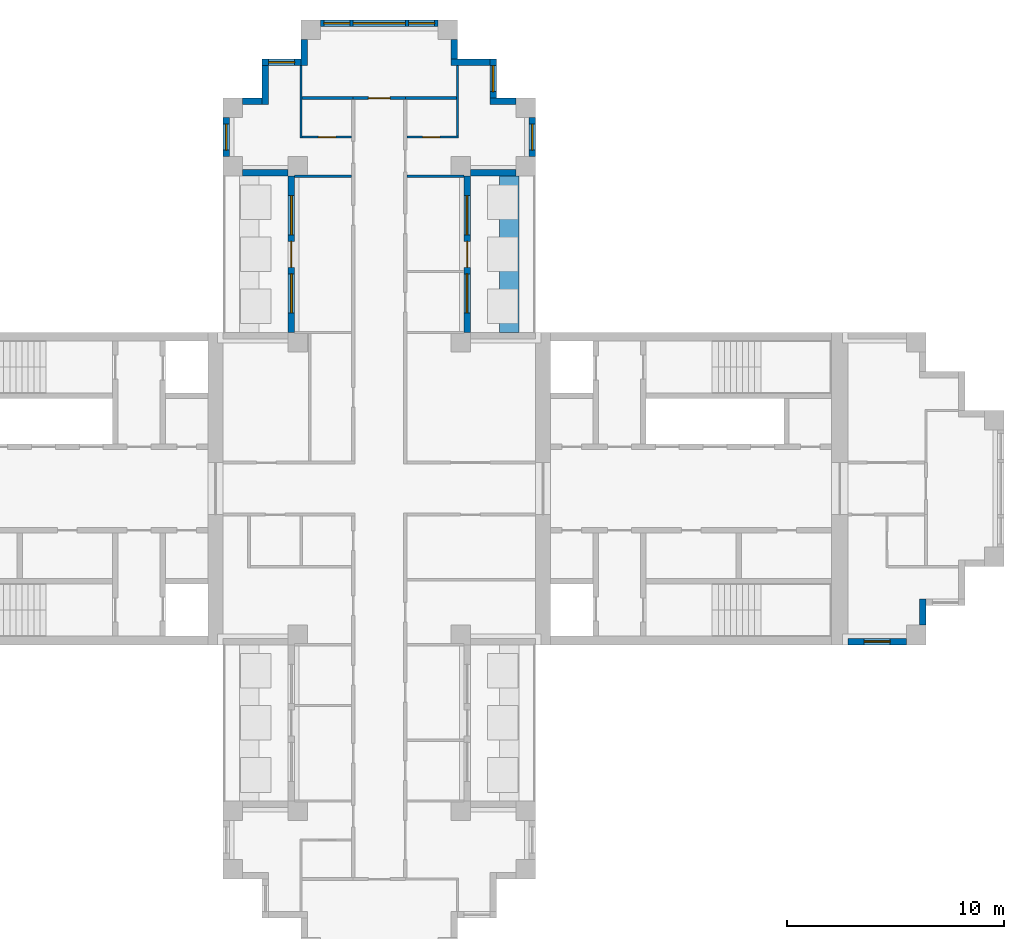
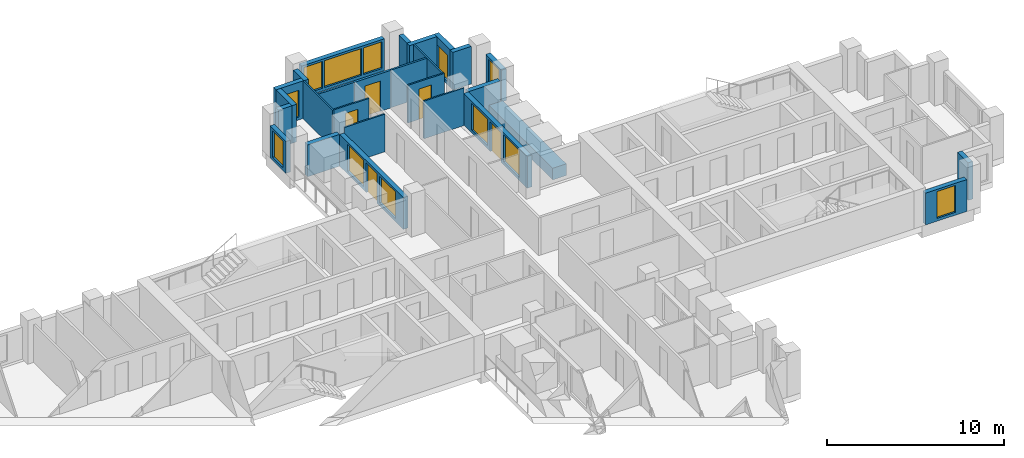
# One storey, part 7 of 11: 27 walls, 12 windows, 5 doors, 17 openings.
"""IFC4 building model written with IfcOpenShell, lengths in metres."""

from ifc_helpers import new_model, si_unit, direction, frame, frame_2d, origin, place, context, subcontext, project, spatial, rectangle, extrude, material, layer, layer_set, type_object, element, fill, save


model = new_model("IFC4")

# Units and contexts
model_context = context("Model", 3, precision=1e-05, world=origin(), true_north=direction((0.0, 1.0)))
body_context = subcontext(model_context, "Body", "Model", "MODEL_VIEW")
ifc_project = project(units=[si_unit("LENGTHUNIT", "METRE"), si_unit("AREAUNIT", "SQUARE_METRE"), si_unit("VOLUMEUNIT", "CUBIC_METRE"), si_unit("PLANEANGLEUNIT", "RADIAN"), si_unit("MASSUNIT", "GRAM", prefix="KILO")], contexts=[model_context])

# Site, building, storey
site_placement = place(None, origin())
site = spatial("IfcSite", under=ifc_project, at=site_placement, CompositionType="ELEMENT")
building_placement = place(site_placement, origin())
building = spatial("IfcBuilding", under=site, at=building_placement, Name="Fustian Cross Tower", CompositionType="ELEMENT")
storey_placement = place(building_placement, frame((0.0, 0.0, 170.699951171875)))
storey = spatial("IfcBuildingStorey", under=building, at=storey_placement, Name="L53", CompositionType="ELEMENT", Elevation=170.699951171875)

# Wall, opening, door
ifc_material_1 = material(Name="Plasterboard on steel stud", Category="steel")
ifc_layer_1 = layer(ifc_material_1, 0.14990234375)
ifc_layer_set_1 = layer_set([ifc_layer_1], Name="Plasterboard on steel stud")
wall_type_1 = type_object("IfcWallType", Name="COMPARTMENT WALL 150 EI 60", PredefinedType="PARTITIONING", material=ifc_layer_set_1)
wall_1_placement = place(storey_placement, frame((-1.199951171875, 18.0, 0.0), z_axis=(0.0, 0.0, 1.0), x_axis=(1.0, 0.0, 0.0)))
wall_1 = element("IfcWall", 1, at=wall_1_placement, inside=storey, type_object=wall_type_1, Name="Partition 33", PredefinedType="PARTITIONING", context=body_context, shape_type="SweptSolid", body=[
    extrude(rectangle(XDim=2.39990234375, YDim=0.14990234375, at=frame_2d((1.199951171875, 0.0))), origin(), (0.0, 0.0, 1.0), 2.60009765625),
])
opening_1_placement = place(wall_1_placement, frame((0.699951171875, 0.0, 0.0)))
opening_1 = element("IfcOpeningElement", 2, at=opening_1_placement, cuts=wall_1, Name="Opening D25013", PredefinedType="OPENING", context=body_context, shape_type="SweptSolid", body=[
    extrude(rectangle(XDim=1.0, YDim=2.10009765625, at=frame_2d((0.5, 1.050048828125))), frame((0.0, 0.0849609375, 0.0), z_axis=(0.0, -1.0, 0.0), x_axis=(1.0, 0.0, 0.0)), (0.0, 0.0, 1.0), 0.169921875),
])
ifc_material_2 = material(Name="Timber fire door set", Category="wood")
door_type_1 = type_object("IfcDoorType", Name="FIRE SWING DOOR 1000 FD30S", OperationType="SINGLE_SWING_LEFT", PredefinedType="DOOR", material=ifc_material_2)
door_1_placement = place(opening_1_placement, origin())
door_1 = element("IfcDoor", 3, at=door_1_placement, inside=storey, type_object=door_type_1, Name="Door D25013", OperationType="SINGLE_SWING_LEFT", OverallHeight=2.10009765625, OverallWidth=1.0, PredefinedType="DOOR", context=body_context, shape_type="SweptSolid", body=[
    extrude(rectangle(XDim=1.0, YDim=2.10009765625, at=frame_2d((0.5, 1.050048828125))), frame((0.0, 0.02490234375, 0.0), z_axis=(0.0, -1.0, 0.0), x_axis=(1.0, 0.0, 0.0)), (0.0, 0.0, 1.0), 0.050048828125),
])
fill(opening_1, door_1)

# Walls
ifc_material_3 = material(Name="Plasterboard on steel stud", Category="steel")
ifc_layer_2 = layer(ifc_material_3, 0.10009765625)
ifc_layer_set_2 = layer_set([ifc_layer_2], Name="Plasterboard on steel stud")
wall_type_2 = type_object("IfcWallType", Name="PARTITION 100 STUD", PredefinedType="PARTITIONING", material=ifc_layer_set_2)
wall_2_placement = place(storey_placement, frame((-3.89990234375, 14.39990234375, 0.0), z_axis=(0.0, 0.0, 1.0), x_axis=(1.0, 0.0, 0.0)))
element("IfcWall", 4, at=wall_2_placement, inside=storey, type_object=wall_type_2, Name="Partition 21", PredefinedType="PARTITIONING", context=body_context, shape_type="SweptSolid", body=[
    extrude(rectangle(XDim=2.625, YDim=0.10009765625, at=frame_2d((1.3125, 0.0))), origin(), (0.0, 0.0, 1.0), 2.60009765625),
])
wall_3_placement = place(storey_placement, frame((-3.60009765625, 16.14990234375, 0.0), z_axis=(0.0, 0.0, 1.0), x_axis=(0.0, 1.0, 0.0)))
element("IfcWall", 5, at=wall_3_placement, inside=storey, type_object=wall_type_2, Name="Partition 26", PredefinedType="PARTITIONING", context=body_context, shape_type="SweptSolid", body=[
    extrude(rectangle(XDim=3.35009765625, YDim=0.10009765625, at=frame_2d((1.675048828125, 0.0))), origin(), (0.0, 0.0, 1.0), 2.60009765625),
])

# Wall, opening, door
wall_4_placement = place(storey_placement, frame((-3.550048828125, 16.199951171875, 0.0), z_axis=(0.0, 0.0, 1.0), x_axis=(1.0, 0.0, 0.0)))
wall_4 = element("IfcWall", 6, at=wall_4_placement, inside=storey, type_object=wall_type_2, Name="Partition 27", PredefinedType="PARTITIONING", context=body_context, shape_type="SweptSolid", body=[
    extrude(rectangle(XDim=2.275146484375, YDim=0.10009765625, at=frame_2d((1.1376953125, 0.0))), origin(), (0.0, 0.0, 1.0), 2.60009765625),
])
opening_2_placement = place(wall_4_placement, frame((0.75, 0.0, 0.0)))
opening_2 = element("IfcOpeningElement", 7, at=opening_2_placement, cuts=wall_4, Name="Opening D25015", PredefinedType="OPENING", context=body_context, shape_type="SweptSolid", body=[
    extrude(rectangle(XDim=0.800048828125, YDim=2.10009765625, at=frame_2d((0.39990234375, 1.050048828125))), frame((0.0, 0.06005859375, 0.0), z_axis=(0.0, -1.0, 0.0), x_axis=(1.0, 0.0, 0.0)), (0.0, 0.0, 1.0), 0.1201171875),
])
ifc_material_4 = material(Name="Painted timber", Category="wood")
door_type_2 = type_object("IfcDoorType", Name="SWING DOOR 800", OperationType="SINGLE_SWING_LEFT", PredefinedType="DOOR", material=ifc_material_4)
door_2_placement = place(opening_2_placement, origin())
door_2 = element("IfcDoor", 8, at=door_2_placement, inside=storey, type_object=door_type_2, Name="Door D25015", OperationType="SINGLE_SWING_LEFT", OverallHeight=2.10009765625, OverallWidth=0.800048828125, PredefinedType="DOOR", context=body_context, shape_type="SweptSolid", body=[
    extrude(rectangle(XDim=0.800048828125, YDim=2.10009765625, at=frame_2d((0.39990234375, 1.050048828125))), frame((0.0, 0.02490234375, 0.0), z_axis=(0.0, -1.0, 0.0), x_axis=(1.0, 0.0, 0.0)), (0.0, 0.0, 1.0), 0.050048828125),
])
fill(opening_2, door_2)

# Wall
wall_5_placement = place(storey_placement, frame((1.27490234375, 14.39990234375, 0.0), z_axis=(0.0, 0.0, 1.0), x_axis=(1.0, 0.0, 0.0)))
element("IfcWall", 9, at=wall_5_placement, inside=storey, type_object=wall_type_2, Name="Partition 45", PredefinedType="PARTITIONING", context=body_context, shape_type="SweptSolid", body=[
    extrude(rectangle(XDim=2.625, YDim=0.10009765625, at=frame_2d((1.3125, 0.0))), origin(), (0.0, 0.0, 1.0), 2.60009765625),
])

# Wall, opening, door
wall_6_placement = place(storey_placement, frame((1.27490234375, 16.199951171875, 0.0), z_axis=(0.0, 0.0, 1.0), x_axis=(1.0, 0.0, 0.0)))
wall_6 = element("IfcWall", 10, at=wall_6_placement, inside=storey, type_object=wall_type_2, Name="Partition 46", PredefinedType="PARTITIONING", context=body_context, shape_type="SweptSolid", body=[
    extrude(rectangle(XDim=2.375, YDim=0.10009765625, at=frame_2d((1.1875, 0.0))), origin(), (0.0, 0.0, 1.0), 2.60009765625),
])
opening_3_placement = place(wall_6_placement, frame((0.72509765625, 0.0, 0.0)))
opening_3 = element("IfcOpeningElement", 11, at=opening_3_placement, cuts=wall_6, Name="Opening D25019", PredefinedType="OPENING", context=body_context, shape_type="SweptSolid", body=[
    extrude(rectangle(XDim=0.800048828125, YDim=2.10009765625, at=frame_2d((0.39990234375, 1.050048828125))), frame((0.0, 0.06005859375, 0.0), z_axis=(0.0, -1.0, 0.0), x_axis=(1.0, 0.0, 0.0)), (0.0, 0.0, 1.0), 0.1201171875),
])
door_3_placement = place(opening_3_placement, origin())
door_3 = element("IfcDoor", 12, at=door_3_placement, inside=storey, type_object=door_type_2, Name="Door D25019", OperationType="SINGLE_SWING_LEFT", OverallHeight=2.10009765625, OverallWidth=0.800048828125, PredefinedType="DOOR", context=body_context, shape_type="SweptSolid", body=[
    extrude(rectangle(XDim=0.800048828125, YDim=2.10009765625, at=frame_2d((0.39990234375, 1.050048828125))), frame((0.0, 0.02490234375, 0.0), z_axis=(0.0, -1.0, 0.0), x_axis=(1.0, 0.0, 0.0)), (0.0, 0.0, 1.0), 0.050048828125),
])
fill(opening_3, door_3)

# Walls
wall_7_placement = place(storey_placement, frame((3.60009765625, 16.25, 0.0), z_axis=(0.0, 0.0, 1.0), x_axis=(0.0, 1.0, 0.0)))
element("IfcWall", 13, at=wall_7_placement, inside=storey, type_object=wall_type_2, Name="Partition 49", PredefinedType="PARTITIONING", context=body_context, shape_type="SweptSolid", body=[
    extrude(rectangle(XDim=3.25, YDim=0.10009765625, at=frame_2d((1.625, 0.0))), origin(), (0.0, 0.0, 1.0), 2.60009765625),
])
ifc_material_5 = material(Name="Concrete C40/50", Category="concrete")
ifc_layer_3 = layer(ifc_material_5, 0.89990234375)
ifc_layer_set_3 = layer_set([ifc_layer_3], Name="Concrete C40/50")
wall_type_3 = type_object("IfcWallType", Name="PK1 PLANTER 900", PredefinedType="PARAPET", material=ifc_layer_set_3)
wall_8_placement = place(storey_placement, frame((6.0, 7.199951171875, 0.0), z_axis=(0.0, 0.0, 1.0), x_axis=(0.0, 1.0, 0.0)))
element("IfcWall", 14, at=wall_8_placement, inside=storey, type_object=wall_type_3, Name="PLANTER", PredefinedType="PARAPET", context=body_context, shape_type="SweptSolid", body=[
    extrude(rectangle(XDim=7.199951171875, YDim=0.89990234375, at=frame_2d((3.60009765625, 0.0))), origin(), (0.0, 0.0, 1.0), 0.800048828125),
])
ifc_material_6 = material(Name="Plasterboard on steel stud", Category="steel")
ifc_layer_4 = layer(ifc_material_6, 0.125)
ifc_layer_set_4 = layer_set([ifc_layer_4], Name="Plasterboard on steel stud")
wall_type_4 = type_object("IfcWallType", Name="WET WALL 125 STUD", PredefinedType="PARTITIONING", material=ifc_layer_set_4)
for number, where, z_axis, x_axis, name in (
    (15, (-3.550048828125, 18.0, 0.0), (0.0, 0.0, 1.0), (1.0, 0.0, 0.0), "Partition 28"),
    (16, (1.199951171875, 18.0, 0.0), (0.0, 0.0, 1.0), (1.0, 0.0, 0.0), "Partition 47"),
):
    element("IfcWall", number, at=place(storey_placement, frame(where, z_axis=z_axis, x_axis=x_axis)), inside=storey, type_object=wall_type_4, Name=name, PredefinedType="PARTITIONING", context=body_context, shape_type="SweptSolid", body=[
        extrude(rectangle(XDim=2.35009765625, YDim=0.125, at=frame_2d((1.175048828125, 0.0))), origin(), (0.0, 0.0, 1.0), 2.60009765625),
    ])

# Wall, opening, window
ifc_material_7 = material(Name="Dark aluminium cladding on insulated backing wall", Category="aluminium")
ifc_layer_5 = layer(ifc_material_7, 0.300048828125)
ifc_layer_set_5 = layer_set([ifc_layer_5], Name="Dark aluminium cladding on insulated backing wall")
wall_type_5 = type_object("IfcWallType", Name="XW1 EXTERNAL WALL 300", PredefinedType="SOLIDWALL", material=ifc_layer_set_5)
wall_9_placement = place(storey_placement, frame((21.60009765625, -7.050048828125, 0.0), z_axis=(0.0, 0.0, 1.0), x_axis=(1.0, 0.0, 0.0)))
wall_9 = element("IfcWall", 17, at=wall_9_placement, inside=storey, type_object=wall_type_5, Name="External wall", PredefinedType="SOLIDWALL", context=body_context, shape_type="SweptSolid", body=[
    extrude(rectangle(XDim=2.699951171875, YDim=0.300048828125, at=frame_2d((1.35009765625, 0.0))), origin(), (0.0, 0.0, 1.0), 2.199951171875),
])
opening_4_placement = place(wall_9_placement, frame((0.75, 0.0, 0.199951171875)))
opening_4 = element("IfcOpeningElement", 18, at=opening_4_placement, cuts=wall_9, Name="Opening WN3", PredefinedType="OPENING", context=body_context, shape_type="SweptSolid", body=[
    extrude(rectangle(XDim=1.199951171875, YDim=1.85009765625, at=frame_2d((0.60009765625, 0.925048828125))), frame((0.0, 0.159912109375, 0.0), z_axis=(0.0, -1.0, 0.0), x_axis=(1.0, 0.0, 0.0)), (0.0, 0.0, 1.0), 0.320068359375),
])
ifc_material_8 = material(Name="Dark anodised aluminium and double glazing", Category="aluminium")
window_type_1 = type_object("IfcWindowType", Name="WN3 WINDOW 1200X1850", PartitioningType="SINGLE_PANEL", PredefinedType="WINDOW", material=ifc_material_8)
window_1_placement = place(opening_4_placement, origin())
window_1 = element("IfcWindow", 19, at=window_1_placement, inside=storey, type_object=window_type_1, Name="Window", OverallHeight=1.85009765625, OverallWidth=1.199951171875, PartitioningType="SINGLE_PANEL", PredefinedType="WINDOW", context=body_context, shape_type="SweptSolid", body=[
    extrude(rectangle(XDim=1.199951171875, YDim=1.85009765625, at=frame_2d((0.60009765625, 0.925048828125))), frame((0.0, 0.030029296875, 0.0), z_axis=(0.0, -1.0, 0.0), x_axis=(1.0, 0.0, 0.0)), (0.0, 0.0, 1.0), 0.06005859375),
])
fill(opening_4, window_1)

# Wall
wall_10_placement = place(storey_placement, frame((25.050048828125, -6.300048828125, 0.0), z_axis=(0.0, 0.0, 1.0), x_axis=(0.0, 1.0, 0.0)))
element("IfcWall", 20, at=wall_10_placement, inside=storey, type_object=wall_type_5, Name="External wall", PredefinedType="SOLIDWALL", context=body_context, shape_type="SweptSolid", body=[
    extrude(rectangle(XDim=1.199951171875, YDim=0.300048828125, at=frame_2d((0.60009765625, 0.0))), origin(), (0.0, 0.0, 1.0), 2.60009765625),
])

# Wall, openings, door, windows
wall_11_placement = place(storey_placement, frame((4.050048828125, 7.199951171875, 0.0), z_axis=(0.0, 0.0, 1.0), x_axis=(0.0, 1.0, 0.0)))
wall_11 = element("IfcWall", 21, at=wall_11_placement, inside=storey, type_object=wall_type_5, Name="External wall", PredefinedType="SOLIDWALL", context=body_context, shape_type="SweptSolid", body=[
    extrude(rectangle(XDim=7.199951171875, YDim=0.300048828125, at=frame_2d((3.60009765625, 0.0))), origin(), (0.0, 0.0, 1.0), 2.199951171875),
])
opening_5_placement = place(wall_11_placement, frame((3.0, 0.0, 0.0)))
opening_5 = element("IfcOpeningElement", 22, at=opening_5_placement, cuts=wall_11, Name="Opening XD1", PredefinedType="OPENING", context=body_context, shape_type="SweptSolid", body=[
    extrude(rectangle(XDim=1.199951171875, YDim=2.050048828125, at=frame_2d((0.60009765625, 1.02490234375))), frame((0.0, 0.159912109375, 0.0), z_axis=(0.0, -1.0, 0.0), x_axis=(1.0, 0.0, 0.0)), (0.0, 0.0, 1.0), 0.320068359375),
])
opening_6_placement = place(wall_11_placement, frame((0.89990234375, 0.0, 0.199951171875)))
opening_6 = element("IfcOpeningElement", 23, at=opening_6_placement, cuts=wall_11, Name="Opening WN2", PredefinedType="OPENING", context=body_context, shape_type="SweptSolid", body=[
    extrude(rectangle(XDim=1.800048828125, YDim=1.85009765625, at=frame_2d((0.89990234375, 0.925048828125))), frame((0.0, 0.159912109375, 0.0), z_axis=(0.0, -1.0, 0.0), x_axis=(1.0, 0.0, 0.0)), (0.0, 0.0, 1.0), 0.320068359375),
])
opening_7_placement = place(wall_11_placement, frame((4.5, 0.0, 0.199951171875)))
opening_7 = element("IfcOpeningElement", 24, at=opening_7_placement, cuts=wall_11, Name="Opening WN2", PredefinedType="OPENING", context=body_context, shape_type="SweptSolid", body=[
    extrude(rectangle(XDim=1.800048828125, YDim=1.85009765625, at=frame_2d((0.89990234375, 0.925048828125))), frame((0.0, 0.159912109375, 0.0), z_axis=(0.0, -1.0, 0.0), x_axis=(1.0, 0.0, 0.0)), (0.0, 0.0, 1.0), 0.320068359375),
])
ifc_material_9 = material(Name="Dark anodised aluminium and double glazing", Category="aluminium")
door_type_3 = type_object("IfcDoorType", Name="ED1 BALCONY DOOR 1200X2050", OperationType="SINGLE_SWING_LEFT", PredefinedType="DOOR", material=ifc_material_9)
door_4_placement = place(opening_5_placement, origin())
door_4 = element("IfcDoor", 25, at=door_4_placement, inside=storey, type_object=door_type_3, Name="Balcony door", OperationType="SINGLE_SWING_LEFT", OverallHeight=2.050048828125, OverallWidth=1.199951171875, PredefinedType="DOOR", context=body_context, shape_type="SweptSolid", body=[
    extrude(rectangle(XDim=1.199951171875, YDim=2.050048828125, at=frame_2d((0.60009765625, 1.02490234375))), frame((0.0, 0.02490234375, 0.0), z_axis=(0.0, -1.0, 0.0), x_axis=(1.0, 0.0, 0.0)), (0.0, 0.0, 1.0), 0.050048828125),
])
fill(opening_5, door_4)
ifc_material_10 = material(Name="Dark anodised aluminium and double glazing", Category="aluminium")
window_type_2 = type_object("IfcWindowType", Name="WN2 WINDOW 1800X1850", PartitioningType="SINGLE_PANEL", PredefinedType="WINDOW", material=ifc_material_10)
window_2_placement = place(opening_6_placement, origin())
window_2 = element("IfcWindow", 26, at=window_2_placement, inside=storey, type_object=window_type_2, Name="Window", OverallHeight=1.85009765625, OverallWidth=1.800048828125, PartitioningType="SINGLE_PANEL", PredefinedType="WINDOW", context=body_context, shape_type="SweptSolid", body=[
    extrude(rectangle(XDim=1.800048828125, YDim=1.85009765625, at=frame_2d((0.89990234375, 0.925048828125))), frame((0.0, 0.030029296875, 0.0), z_axis=(0.0, -1.0, 0.0), x_axis=(1.0, 0.0, 0.0)), (0.0, 0.0, 1.0), 0.06005859375),
])
fill(opening_6, window_2)
window_3_placement = place(opening_7_placement, origin())
window_3 = element("IfcWindow", 27, at=window_3_placement, inside=storey, type_object=window_type_2, Name="Window", OverallHeight=1.85009765625, OverallWidth=1.800048828125, PartitioningType="SINGLE_PANEL", PredefinedType="WINDOW", context=body_context, shape_type="SweptSolid", body=[
    extrude(rectangle(XDim=1.800048828125, YDim=1.85009765625, at=frame_2d((0.89990234375, 0.925048828125))), frame((0.0, 0.030029296875, 0.0), z_axis=(0.0, -1.0, 0.0), x_axis=(1.0, 0.0, 0.0)), (0.0, 0.0, 1.0), 0.06005859375),
])
fill(opening_7, window_3)

# Wall
wall_12_placement = place(storey_placement, frame((4.199951171875, 14.550048828125, 0.0), z_axis=(0.0, 0.0, 1.0), x_axis=(1.0, 0.0, 0.0)))
element("IfcWall", 28, at=wall_12_placement, inside=storey, type_object=wall_type_5, Name="External wall", PredefinedType="SOLIDWALL", context=body_context, shape_type="SweptSolid", body=[
    extrude(rectangle(XDim=2.10009765625, YDim=0.300048828125, at=frame_2d((1.050048828125, 0.0))), origin(), (0.0, 0.0, 1.0), 2.199951171875),
])

# Wall, opening, window
wall_13_placement = place(storey_placement, frame((7.050048828125, 15.300048828125, 0.0), z_axis=(0.0, 0.0, 1.0), x_axis=(0.0, 1.0, 0.0)))
wall_13 = element("IfcWall", 29, at=wall_13_placement, inside=storey, type_object=wall_type_5, Name="External wall", PredefinedType="SOLIDWALL", context=body_context, shape_type="SweptSolid", body=[
    extrude(rectangle(XDim=1.800048828125, YDim=0.300048828125, at=frame_2d((0.89990234375, 0.0))), origin(), (0.0, 0.0, 1.0), 2.199951171875),
])
opening_8_placement = place(wall_13_placement, frame((0.300048828125, 0.0, 0.199951171875)))
opening_8 = element("IfcOpeningElement", 30, at=opening_8_placement, cuts=wall_13, Name="Opening WN3", PredefinedType="OPENING", context=body_context, shape_type="SweptSolid", body=[
    extrude(rectangle(XDim=1.199951171875, YDim=1.85009765625, at=frame_2d((0.60009765625, 0.925048828125))), frame((0.0, 0.159912109375, 0.0), z_axis=(0.0, -1.0, 0.0), x_axis=(1.0, 0.0, 0.0)), (0.0, 0.0, 1.0), 0.320068359375),
])
window_4_placement = place(opening_8_placement, origin())
window_4 = element("IfcWindow", 31, at=window_4_placement, inside=storey, type_object=window_type_1, Name="Window", OverallHeight=1.85009765625, OverallWidth=1.199951171875, PartitioningType="SINGLE_PANEL", PredefinedType="WINDOW", context=body_context, shape_type="SweptSolid", body=[
    extrude(rectangle(XDim=1.199951171875, YDim=1.85009765625, at=frame_2d((0.60009765625, 0.925048828125))), frame((0.0, 0.030029296875, 0.0), z_axis=(0.0, -1.0, 0.0), x_axis=(1.0, 0.0, 0.0)), (0.0, 0.0, 1.0), 0.06005859375),
])
fill(opening_8, window_4)

# Wall
wall_14_placement = place(storey_placement, frame((6.300048828125, 17.85009765625, 0.0), z_axis=(0.0, 0.0, 1.0), x_axis=(-1.0, 0.0, 0.0)))
element("IfcWall", 32, at=wall_14_placement, inside=storey, type_object=wall_type_5, Name="External wall", PredefinedType="SOLIDWALL", context=body_context, shape_type="SweptSolid", body=[
    extrude(rectangle(XDim=1.199951171875, YDim=0.300048828125, at=frame_2d((0.60009765625, 0.0))), origin(), (0.0, 0.0, 1.0), 2.60009765625),
])

# Wall, opening, window
wall_15_placement = place(storey_placement, frame((5.25, 18.0, 0.0), z_axis=(0.0, 0.0, 1.0), x_axis=(0.0, 1.0, 0.0)))
wall_15 = element("IfcWall", 33, at=wall_15_placement, inside=storey, type_object=wall_type_5, Name="External wall", PredefinedType="SOLIDWALL", context=body_context, shape_type="SweptSolid", body=[
    extrude(rectangle(XDim=1.800048828125, YDim=0.300048828125, at=frame_2d((0.89990234375, 0.0))), origin(), (0.0, 0.0, 1.0), 2.60009765625),
])
opening_9_placement = place(wall_15_placement, frame((0.300048828125, 0.0, 0.199951171875)))
opening_9 = element("IfcOpeningElement", 34, at=opening_9_placement, cuts=wall_15, Name="Opening WN3", PredefinedType="OPENING", context=body_context, shape_type="SweptSolid", body=[
    extrude(rectangle(XDim=1.199951171875, YDim=1.85009765625, at=frame_2d((0.60009765625, 0.925048828125))), frame((0.0, 0.159912109375, 0.0), z_axis=(0.0, -1.0, 0.0), x_axis=(1.0, 0.0, 0.0)), (0.0, 0.0, 1.0), 0.320068359375),
])
window_5_placement = place(opening_9_placement, origin())
window_5 = element("IfcWindow", 35, at=window_5_placement, inside=storey, type_object=window_type_1, Name="Window", OverallHeight=1.85009765625, OverallWidth=1.199951171875, PartitioningType="SINGLE_PANEL", PredefinedType="WINDOW", context=body_context, shape_type="SweptSolid", body=[
    extrude(rectangle(XDim=1.199951171875, YDim=1.85009765625, at=frame_2d((0.60009765625, 0.925048828125))), frame((0.0, 0.030029296875, 0.0), z_axis=(0.0, -1.0, 0.0), x_axis=(1.0, 0.0, 0.0)), (0.0, 0.0, 1.0), 0.06005859375),
])
fill(opening_9, window_5)

# Walls
wall_16_placement = place(storey_placement, frame((5.10009765625, 19.64990234375, 0.0), z_axis=(0.0, 0.0, 1.0), x_axis=(-1.0, 0.0, 0.0)))
element("IfcWall", 36, at=wall_16_placement, inside=storey, type_object=wall_type_5, Name="External wall", PredefinedType="SOLIDWALL", context=body_context, shape_type="SweptSolid", body=[
    extrude(rectangle(XDim=1.800048828125, YDim=0.300048828125, at=frame_2d((0.89990234375, 0.0))), origin(), (0.0, 0.0, 1.0), 2.60009765625),
])
wall_17_placement = place(storey_placement, frame((3.449951171875, 19.800048828125, 0.0), z_axis=(0.0, 0.0, 1.0), x_axis=(0.0, 1.0, 0.0)))
element("IfcWall", 37, at=wall_17_placement, inside=storey, type_object=wall_type_5, Name="External wall", PredefinedType="SOLIDWALL", context=body_context, shape_type="SweptSolid", body=[
    extrude(rectangle(XDim=0.89990234375, YDim=0.300048828125, at=frame_2d((0.449951171875, 0.0))), origin(), (0.0, 0.0, 1.0), 2.60009765625),
])

# Wall, openings, windows
wall_18_placement = place(storey_placement, frame((2.699951171875, 21.449951171875, 0.0), z_axis=(0.0, 0.0, 1.0), x_axis=(-1.0, 0.0, 0.0)))
wall_18 = element("IfcWall", 38, at=wall_18_placement, inside=storey, type_object=wall_type_5, Name="External wall", PredefinedType="SOLIDWALL", context=body_context, shape_type="SweptSolid", body=[
    extrude(rectangle(XDim=5.39990234375, YDim=0.300048828125, at=frame_2d((2.699951171875, 0.0))), origin(), (0.0, 0.0, 1.0), 2.199951171875),
])
opening_10_placement = place(wall_18_placement, frame((1.5, 0.0, 0.199951171875)))
opening_10 = element("IfcOpeningElement", 39, at=opening_10_placement, cuts=wall_18, Name="Opening WN1", PredefinedType="OPENING", context=body_context, shape_type="SweptSolid", body=[
    extrude(rectangle(XDim=2.39990234375, YDim=1.85009765625, at=frame_2d((1.199951171875, 0.925048828125))), frame((0.0, 0.159912109375, 0.0), z_axis=(0.0, -1.0, 0.0), x_axis=(1.0, 0.0, 0.0)), (0.0, 0.0, 1.0), 0.320068359375),
])
opening_11_placement = place(wall_18_placement, frame((0.14990234375, 0.0, 0.199951171875)))
opening_11 = element("IfcOpeningElement", 40, at=opening_11_placement, cuts=wall_18, Name="Opening WN3", PredefinedType="OPENING", context=body_context, shape_type="SweptSolid", body=[
    extrude(rectangle(XDim=1.199951171875, YDim=1.85009765625, at=frame_2d((0.60009765625, 0.925048828125))), frame((0.0, 0.159912109375, 0.0), z_axis=(0.0, -1.0, 0.0), x_axis=(1.0, 0.0, 0.0)), (0.0, 0.0, 1.0), 0.320068359375),
])
opening_12_placement = place(wall_18_placement, frame((4.050048828125, 0.0, 0.199951171875)))
opening_12 = element("IfcOpeningElement", 41, at=opening_12_placement, cuts=wall_18, Name="Opening WN3", PredefinedType="OPENING", context=body_context, shape_type="SweptSolid", body=[
    extrude(rectangle(XDim=1.199951171875, YDim=1.85009765625, at=frame_2d((0.60009765625, 0.925048828125))), frame((0.0, 0.159912109375, 0.0), z_axis=(0.0, -1.0, 0.0), x_axis=(1.0, 0.0, 0.0)), (0.0, 0.0, 1.0), 0.320068359375),
])
ifc_material_11 = material(Name="Dark anodised aluminium and double glazing", Category="aluminium")
window_type_3 = type_object("IfcWindowType", Name="WN1 WINDOW 2400X1850", PartitioningType="SINGLE_PANEL", PredefinedType="WINDOW", material=ifc_material_11)
window_6_placement = place(opening_10_placement, origin())
window_6 = element("IfcWindow", 42, at=window_6_placement, inside=storey, type_object=window_type_3, Name="Window", OverallHeight=1.85009765625, OverallWidth=2.39990234375, PartitioningType="SINGLE_PANEL", PredefinedType="WINDOW", context=body_context, shape_type="SweptSolid", body=[
    extrude(rectangle(XDim=2.39990234375, YDim=1.85009765625, at=frame_2d((1.199951171875, 0.925048828125))), frame((0.0, 0.030029296875, 0.0), z_axis=(0.0, -1.0, 0.0), x_axis=(1.0, 0.0, 0.0)), (0.0, 0.0, 1.0), 0.06005859375),
])
fill(opening_10, window_6)
window_7_placement = place(opening_11_placement, origin())
window_7 = element("IfcWindow", 43, at=window_7_placement, inside=storey, type_object=window_type_1, Name="Window", OverallHeight=1.85009765625, OverallWidth=1.199951171875, PartitioningType="SINGLE_PANEL", PredefinedType="WINDOW", context=body_context, shape_type="SweptSolid", body=[
    extrude(rectangle(XDim=1.199951171875, YDim=1.85009765625, at=frame_2d((0.60009765625, 0.925048828125))), frame((0.0, 0.030029296875, 0.0), z_axis=(0.0, -1.0, 0.0), x_axis=(1.0, 0.0, 0.0)), (0.0, 0.0, 1.0), 0.06005859375),
])
fill(opening_11, window_7)
window_8_placement = place(opening_12_placement, origin())
window_8 = element("IfcWindow", 44, at=window_8_placement, inside=storey, type_object=window_type_1, Name="Window", OverallHeight=1.85009765625, OverallWidth=1.199951171875, PartitioningType="SINGLE_PANEL", PredefinedType="WINDOW", context=body_context, shape_type="SweptSolid", body=[
    extrude(rectangle(XDim=1.199951171875, YDim=1.85009765625, at=frame_2d((0.60009765625, 0.925048828125))), frame((0.0, 0.030029296875, 0.0), z_axis=(0.0, -1.0, 0.0), x_axis=(1.0, 0.0, 0.0)), (0.0, 0.0, 1.0), 0.06005859375),
])
fill(opening_12, window_8)

# Wall
wall_19_placement = place(storey_placement, frame((-3.449951171875, 20.699951171875, 0.0), z_axis=(0.0, 0.0, 1.0), x_axis=(0.0, -1.0, 0.0)))
element("IfcWall", 45, at=wall_19_placement, inside=storey, type_object=wall_type_5, Name="External wall", PredefinedType="SOLIDWALL", context=body_context, shape_type="SweptSolid", body=[
    extrude(rectangle(XDim=1.199951171875, YDim=0.300048828125, at=frame_2d((0.60009765625, 0.0))), origin(), (0.0, 0.0, 1.0), 2.60009765625),
])

# Wall, opening, window
wall_20_placement = place(storey_placement, frame((-3.60009765625, 19.64990234375, 0.0), z_axis=(0.0, 0.0, 1.0), x_axis=(-1.0, 0.0, 0.0)))
wall_20 = element("IfcWall", 46, at=wall_20_placement, inside=storey, type_object=wall_type_5, Name="External wall", PredefinedType="SOLIDWALL", context=body_context, shape_type="SweptSolid", body=[
    extrude(rectangle(XDim=1.7998046875, YDim=0.300048828125, at=frame_2d((0.89990234375, 0.0))), origin(), (0.0, 0.0, 1.0), 2.60009765625),
])
opening_13_placement = place(wall_20_placement, frame((0.300048828125, 0.0, 0.199951171875)))
opening_13 = element("IfcOpeningElement", 47, at=opening_13_placement, cuts=wall_20, Name="Opening WN3", PredefinedType="OPENING", context=body_context, shape_type="SweptSolid", body=[
    extrude(rectangle(XDim=1.199951171875, YDim=1.85009765625, at=frame_2d((0.60009765625, 0.925048828125))), frame((0.0, 0.159912109375, 0.0), z_axis=(0.0, -1.0, 0.0), x_axis=(1.0, 0.0, 0.0)), (0.0, 0.0, 1.0), 0.320068359375),
])
window_9_placement = place(opening_13_placement, origin())
window_9 = element("IfcWindow", 48, at=window_9_placement, inside=storey, type_object=window_type_1, Name="Window", OverallHeight=1.85009765625, OverallWidth=1.199951171875, PartitioningType="SINGLE_PANEL", PredefinedType="WINDOW", context=body_context, shape_type="SweptSolid", body=[
    extrude(rectangle(XDim=1.199951171875, YDim=1.85009765625, at=frame_2d((0.60009765625, 0.925048828125))), frame((0.0, 0.030029296875, 0.0), z_axis=(0.0, -1.0, 0.0), x_axis=(1.0, 0.0, 0.0)), (0.0, 0.0, 1.0), 0.06005859375),
])
fill(opening_13, window_9)

# Walls
wall_21_placement = place(storey_placement, frame((-5.25, 19.5, 0.0), z_axis=(0.0, 0.0, 1.0), x_axis=(0.0, -1.0, 0.0)))
element("IfcWall", 49, at=wall_21_placement, inside=storey, type_object=wall_type_5, Name="External wall", PredefinedType="SOLIDWALL", context=body_context, shape_type="SweptSolid", body=[
    extrude(rectangle(XDim=1.800048828125, YDim=0.300048828125, at=frame_2d((0.89990234375, 0.0))), origin(), (0.0, 0.0, 1.0), 2.60009765625),
])
wall_22_placement = place(storey_placement, frame((-5.39990234375, 17.85009765625, 0.0), z_axis=(0.0, 0.0, 1.0), x_axis=(-1.0, 0.0, 0.0)))
element("IfcWall", 50, at=wall_22_placement, inside=storey, type_object=wall_type_5, Name="External wall", PredefinedType="SOLIDWALL", context=body_context, shape_type="SweptSolid", body=[
    extrude(rectangle(XDim=0.900146484375, YDim=0.300048828125, at=frame_2d((0.4501953125, 0.0))), origin(), (0.0, 0.0, 1.0), 2.60009765625),
])

# Wall, opening, window
wall_23_placement = place(storey_placement, frame((-7.050048828125, 17.10009765625, 0.0), z_axis=(0.0, 0.0, 1.0), x_axis=(0.0, -1.0, 0.0)))
wall_23 = element("IfcWall", 51, at=wall_23_placement, inside=storey, type_object=wall_type_5, Name="External wall", PredefinedType="SOLIDWALL", context=body_context, shape_type="SweptSolid", body=[
    extrude(rectangle(XDim=1.800048828125, YDim=0.300048828125, at=frame_2d((0.89990234375, 0.0))), origin(), (0.0, 0.0, 1.0), 2.199951171875),
])
opening_14_placement = place(wall_23_placement, frame((0.300048828125, 0.0, 0.199951171875)))
opening_14 = element("IfcOpeningElement", 52, at=opening_14_placement, cuts=wall_23, Name="Opening WN3", PredefinedType="OPENING", context=body_context, shape_type="SweptSolid", body=[
    extrude(rectangle(XDim=1.199951171875, YDim=1.85009765625, at=frame_2d((0.60009765625, 0.925048828125))), frame((0.0, 0.159912109375, 0.0), z_axis=(0.0, -1.0, 0.0), x_axis=(1.0, 0.0, 0.0)), (0.0, 0.0, 1.0), 0.320068359375),
])
window_10_placement = place(opening_14_placement, origin())
window_10 = element("IfcWindow", 53, at=window_10_placement, inside=storey, type_object=window_type_1, Name="Window", OverallHeight=1.85009765625, OverallWidth=1.199951171875, PartitioningType="SINGLE_PANEL", PredefinedType="WINDOW", context=body_context, shape_type="SweptSolid", body=[
    extrude(rectangle(XDim=1.199951171875, YDim=1.85009765625, at=frame_2d((0.60009765625, 0.925048828125))), frame((0.0, 0.030029296875, 0.0), z_axis=(0.0, -1.0, 0.0), x_axis=(1.0, 0.0, 0.0)), (0.0, 0.0, 1.0), 0.06005859375),
])
fill(opening_14, window_10)

# Wall
wall_24_placement = place(storey_placement, frame((-6.300048828125, 14.550048828125, 0.0), z_axis=(0.0, 0.0, 1.0), x_axis=(1.0, 0.0, 0.0)))
element("IfcWall", 54, at=wall_24_placement, inside=storey, type_object=wall_type_5, Name="External wall", PredefinedType="SOLIDWALL", context=body_context, shape_type="SweptSolid", body=[
    extrude(rectangle(XDim=2.10009765625, YDim=0.300048828125, at=frame_2d((1.050048828125, 0.0))), origin(), (0.0, 0.0, 1.0), 2.199951171875),
])

# Wall, openings, door, windows
wall_25_placement = place(storey_placement, frame((-4.050048828125, 14.39990234375, 0.0), z_axis=(0.0, 0.0, 1.0), x_axis=(0.0, -1.0, 0.0)))
wall_25 = element("IfcWall", 55, at=wall_25_placement, inside=storey, type_object=wall_type_5, Name="External wall", PredefinedType="SOLIDWALL", context=body_context, shape_type="SweptSolid", body=[
    extrude(rectangle(XDim=7.199951171875, YDim=0.300048828125, at=frame_2d((3.60009765625, 0.0))), origin(), (0.0, 0.0, 1.0), 2.199951171875),
])
opening_15_placement = place(wall_25_placement, frame((3.0, 0.0, 0.0)))
opening_15 = element("IfcOpeningElement", 56, at=opening_15_placement, cuts=wall_25, Name="Opening XD2", PredefinedType="OPENING", context=body_context, shape_type="SweptSolid", body=[
    extrude(rectangle(XDim=1.199951171875, YDim=2.050048828125, at=frame_2d((0.60009765625, 1.02490234375))), frame((0.0, 0.159912109375, 0.0), z_axis=(0.0, -1.0, 0.0), x_axis=(1.0, 0.0, 0.0)), (0.0, 0.0, 1.0), 0.320068359375),
])
opening_16_placement = place(wall_25_placement, frame((0.89990234375, 0.0, 0.199951171875)))
opening_16 = element("IfcOpeningElement", 57, at=opening_16_placement, cuts=wall_25, Name="Opening WN2", PredefinedType="OPENING", context=body_context, shape_type="SweptSolid", body=[
    extrude(rectangle(XDim=1.800048828125, YDim=1.85009765625, at=frame_2d((0.89990234375, 0.925048828125))), frame((0.0, 0.159912109375, 0.0), z_axis=(0.0, -1.0, 0.0), x_axis=(1.0, 0.0, 0.0)), (0.0, 0.0, 1.0), 0.320068359375),
])
opening_17_placement = place(wall_25_placement, frame((4.5, 0.0, 0.199951171875)))
opening_17 = element("IfcOpeningElement", 58, at=opening_17_placement, cuts=wall_25, Name="Opening WN2", PredefinedType="OPENING", context=body_context, shape_type="SweptSolid", body=[
    extrude(rectangle(XDim=1.800048828125, YDim=1.85009765625, at=frame_2d((0.89990234375, 0.925048828125))), frame((0.0, 0.159912109375, 0.0), z_axis=(0.0, -1.0, 0.0), x_axis=(1.0, 0.0, 0.0)), (0.0, 0.0, 1.0), 0.320068359375),
])
door_5_placement = place(opening_15_placement, origin())
door_5 = element("IfcDoor", 59, at=door_5_placement, inside=storey, type_object=door_type_3, Name="Balcony door", OperationType="SINGLE_SWING_LEFT", OverallHeight=2.050048828125, OverallWidth=1.199951171875, PredefinedType="DOOR", context=body_context, shape_type="SweptSolid", body=[
    extrude(rectangle(XDim=1.199951171875, YDim=2.050048828125, at=frame_2d((0.60009765625, 1.02490234375))), frame((0.0, 0.02490234375, 0.0), z_axis=(0.0, -1.0, 0.0), x_axis=(1.0, 0.0, 0.0)), (0.0, 0.0, 1.0), 0.050048828125),
])
fill(opening_15, door_5)
window_11_placement = place(opening_16_placement, origin())
window_11 = element("IfcWindow", 60, at=window_11_placement, inside=storey, type_object=window_type_2, Name="Window", OverallHeight=1.85009765625, OverallWidth=1.800048828125, PartitioningType="SINGLE_PANEL", PredefinedType="WINDOW", context=body_context, shape_type="SweptSolid", body=[
    extrude(rectangle(XDim=1.800048828125, YDim=1.85009765625, at=frame_2d((0.89990234375, 0.925048828125))), frame((0.0, 0.030029296875, 0.0), z_axis=(0.0, -1.0, 0.0), x_axis=(1.0, 0.0, 0.0)), (0.0, 0.0, 1.0), 0.06005859375),
])
fill(opening_16, window_11)
window_12_placement = place(opening_17_placement, origin())
window_12 = element("IfcWindow", 61, at=window_12_placement, inside=storey, type_object=window_type_2, Name="Window", OverallHeight=1.85009765625, OverallWidth=1.800048828125, PartitioningType="SINGLE_PANEL", PredefinedType="WINDOW", context=body_context, shape_type="SweptSolid", body=[
    extrude(rectangle(XDim=1.800048828125, YDim=1.85009765625, at=frame_2d((0.89990234375, 0.925048828125))), frame((0.0, 0.030029296875, 0.0), z_axis=(0.0, -1.0, 0.0), x_axis=(1.0, 0.0, 0.0)), (0.0, 0.0, 1.0), 0.06005859375),
])
fill(opening_17, window_12)

save(model, "model.ifc")
